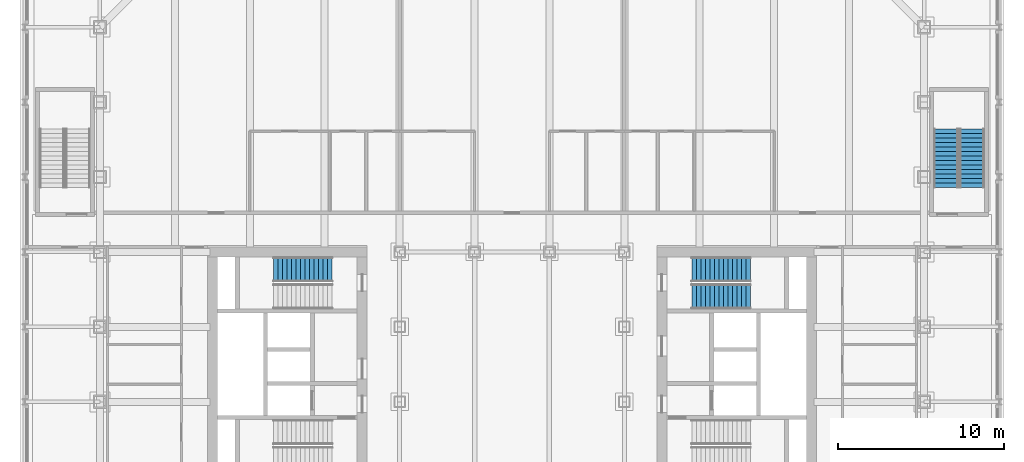
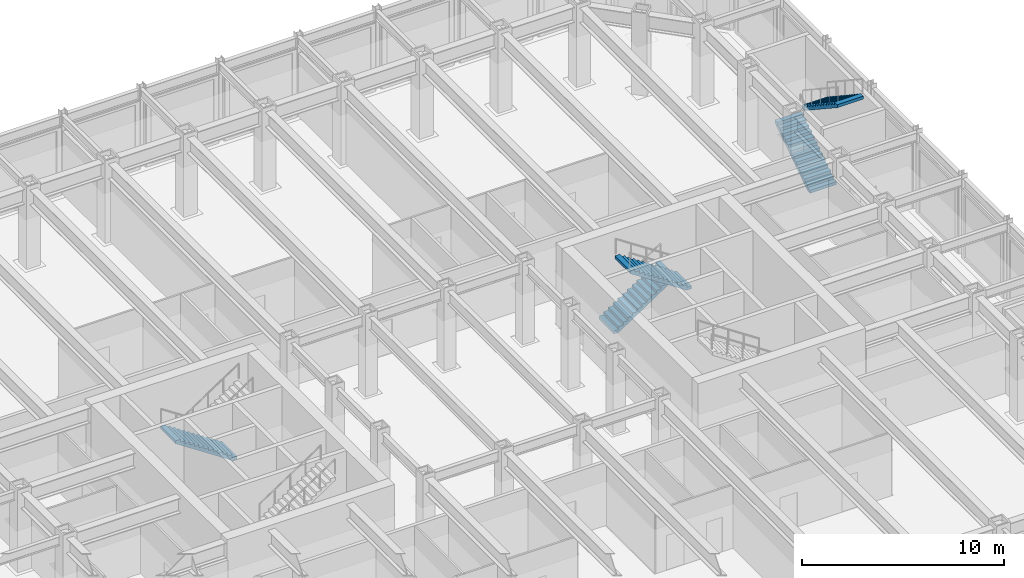
# One storey, part 16 of 19: 5 stair flights, 3 elements without a shape of their own.
"""IFC4 building model written with IfcOpenShell, lengths in metres."""

from ifc_helpers import new_model, si_unit, direction, frame, origin, place, context, subcontext, project, spatial, polyline, outline, extrude, material, type_object, element, aggregate, save


model = new_model("IFC4")

# Units and contexts
model_context = context("Model", 3, precision=1e-05, world=origin(), true_north=direction((0.0, 1.0)))
body_context = subcontext(model_context, "Body", "Model", "MODEL_VIEW")
ifc_project = project(units=[si_unit("LENGTHUNIT", "METRE"), si_unit("AREAUNIT", "SQUARE_METRE"), si_unit("VOLUMEUNIT", "CUBIC_METRE"), si_unit("PLANEANGLEUNIT", "RADIAN"), si_unit("MASSUNIT", "GRAM", prefix="KILO")], contexts=[model_context])

# Site, building, storey
site_placement = place(None, origin())
site = spatial("IfcSite", under=ifc_project, at=site_placement, CompositionType="ELEMENT")
building_placement = place(site_placement, origin())
building = spatial("IfcBuilding", under=site, at=building_placement, Name="Msasa Ring Tower", CompositionType="ELEMENT")
storey_placement = place(building_placement, frame((0.0, 0.0, 6.0)))
storey = spatial("IfcBuildingStorey", under=building, at=storey_placement, Name="L01", CompositionType="ELEMENT", Elevation=6.0)

# Stair, stair flights
ifc_material_1 = material(Name="Concrete C40/50", Category="concrete")
stair_type_1 = type_object("IfcStairType", Name="STC CORE STAIR 28 RISERS 178.6", PredefinedType="HALF_TURN_STAIR", material=ifc_material_1)
stair_1_placement = place(storey_placement, origin())
stair_1 = element("IfcStair", 1, at=stair_1_placement, inside=storey, type_object=stair_type_1, Name="Core stair SEB L01", PredefinedType="HALF_TURN_STAIR")
ifc_material_2 = material(Name="Concrete C40/50", Category="concrete")
stair_flight_type_1 = type_object("IfcStairFlightType", Name="ST13 CORE STAIR FLIGHT 1500 14 RISERS 178.6", PredefinedType="STRAIGHT", material=ifc_material_2)
stair_flight_1_placement = place(storey_placement, frame((10.800048828125, 5.699951171875, 0.0), z_axis=(0.0, 0.0, 1.0), x_axis=(1.0, 0.0, 0.0)))
stair_flight_1 = element("IfcStairFlight", 2, at=stair_flight_1_placement, type_object=stair_flight_type_1, Name="SEB flight 1", NumberOfRisers=14, NumberOfTreads=13, PredefinedType="STRAIGHT", RiserHeight=0.178571429, TreadLength=0.27, context=body_context, shape_type="SweptSolid", body=[
    extrude(outline(polyline([(0.0, 0.0), (0.0, 0.178466796875), (0.27001953125, 0.178466796875), (0.27001953125, 0.357177734375), (0.5400390625, 0.357177734375), (0.5400390625, 0.53564453125), (0.81005859375, 0.53564453125), (0.81005859375, 0.71435546875), (1.080078125, 0.71435546875), (1.080078125, 0.892822265625), (1.35009765625, 0.892822265625), (1.35009765625, 1.071533203125), (1.6201171875, 1.071533203125), (1.6201171875, 1.25), (1.889892578125, 1.25), (1.889892578125, 1.428466796875), (2.159912109375, 1.428466796875), (2.159912109375, 1.607177734375), (2.429931640625, 1.607177734375), (2.429931640625, 1.78564453125), (2.699951171875, 1.78564453125), (2.699951171875, 1.96435546875), (2.969970703125, 1.96435546875), (2.969970703125, 2.142822265625), (3.239990234375, 2.142822265625), (3.239990234375, 2.321533203125), (3.510009765625, 2.321533203125), (3.510009765625, 2.5), (3.510009765625, 2.1416015625), (0.271728515625, 0.0), (0.0, 0.0)])), frame((0.0, 0.75, 0.0), z_axis=(0.0, -1.0, 0.0), x_axis=(1.0, 0.0, 0.0)), (0.0, 0.0, 1.0), 1.5),
])
stair_flight_2_placement = place(storey_placement, frame((14.31005859375, 4.074951171875, 2.5), z_axis=(0.0, 0.0, 1.0), x_axis=(-1.0, 0.0, 0.0)))
stair_flight_2 = element("IfcStairFlight", 3, at=stair_flight_2_placement, type_object=stair_flight_type_1, Name="SEB flight 2", NumberOfRisers=14, NumberOfTreads=13, PredefinedType="STRAIGHT", RiserHeight=0.178571429, TreadLength=0.27, context=body_context, shape_type="SweptSolid", body=[
    extrude(outline(polyline([(0.0, 0.0), (0.0, 0.178466796875), (0.27001953125, 0.178466796875), (0.27001953125, 0.357177734375), (0.5400390625, 0.357177734375), (0.5400390625, 0.53564453125), (0.81005859375, 0.53564453125), (0.81005859375, 0.71435546875), (1.080078125, 0.71435546875), (1.080078125, 0.892822265625), (1.35009765625, 0.892822265625), (1.35009765625, 1.071533203125), (1.6201171875, 1.071533203125), (1.6201171875, 1.25), (1.889892578125, 1.25), (1.889892578125, 1.428466796875), (2.159912109375, 1.428466796875), (2.159912109375, 1.607177734375), (2.429931640625, 1.607177734375), (2.429931640625, 1.78564453125), (2.699951171875, 1.78564453125), (2.699951171875, 1.96435546875), (2.969970703125, 1.96435546875), (2.969970703125, 2.142822265625), (3.239990234375, 2.142822265625), (3.239990234375, 2.321533203125), (3.510009765625, 2.321533203125), (3.510009765625, 2.5), (3.510009765625, 2.1416015625), (0.271728515625, 0.0), (0.0, 0.0)])), frame((0.0, 0.75, 0.0), z_axis=(0.0, -1.0, 0.0), x_axis=(1.0, 0.0, 0.0)), (0.0, 0.0, 1.0), 1.5),
])
aggregate(stair_1, [stair_flight_1, stair_flight_2])

# Stair, stair flight
stair_2_placement = place(storey_placement, origin())
stair_2 = element("IfcStair", 4, at=stair_2_placement, inside=storey, type_object=stair_type_1, Name="Core stair SWB L01", PredefinedType="HALF_TURN_STAIR")
stair_flight_3_placement = place(storey_placement, frame((-10.800048828125, 5.699951171875, 0.0), z_axis=(0.0, 0.0, 1.0), x_axis=(-1.0, 0.0, 0.0)))
stair_flight_3 = element("IfcStairFlight", 5, at=stair_flight_3_placement, type_object=stair_flight_type_1, Name="SWB flight 1", NumberOfRisers=14, NumberOfTreads=13, PredefinedType="STRAIGHT", RiserHeight=0.178571429, TreadLength=0.27, context=body_context, shape_type="SweptSolid", body=[
    extrude(outline(polyline([(0.0, 0.0), (0.0, 0.178466796875), (0.27001953125, 0.178466796875), (0.27001953125, 0.357177734375), (0.5400390625, 0.357177734375), (0.5400390625, 0.53564453125), (0.81005859375, 0.53564453125), (0.81005859375, 0.71435546875), (1.080078125, 0.71435546875), (1.080078125, 0.892822265625), (1.35009765625, 0.892822265625), (1.35009765625, 1.071533203125), (1.6201171875, 1.071533203125), (1.6201171875, 1.25), (1.889892578125, 1.25), (1.889892578125, 1.428466796875), (2.159912109375, 1.428466796875), (2.159912109375, 1.607177734375), (2.429931640625, 1.607177734375), (2.429931640625, 1.78564453125), (2.699951171875, 1.78564453125), (2.699951171875, 1.96435546875), (2.969970703125, 1.96435546875), (2.969970703125, 2.142822265625), (3.239990234375, 2.142822265625), (3.239990234375, 2.321533203125), (3.510009765625, 2.321533203125), (3.510009765625, 2.5), (3.510009765625, 2.1416015625), (0.271728515625, 0.0), (0.0, 0.0)])), frame((0.0, 0.75, 0.0), z_axis=(0.0, -1.0, 0.0), x_axis=(1.0, 0.0, 0.0)), (0.0, 0.0, 1.0), 1.5),
])
aggregate(stair_2, [stair_flight_3])

# Stair, stair flights
ifc_material_3 = material(Name="Concrete C40/50", Category="concrete")
stair_type_2 = type_object("IfcStairType", Name="STP PODIUM STAIR 28 RISERS 178.6", PredefinedType="HALF_TURN_STAIR", material=ifc_material_3)
stair_3_placement = place(storey_placement, origin())
stair_3 = element("IfcStair", 6, at=stair_3_placement, inside=storey, type_object=stair_type_2, Name="Podium stair PEN L01", PredefinedType="HALF_TURN_STAIR")
ifc_material_4 = material(Name="Concrete C40/50", Category="concrete")
stair_flight_type_2 = type_object("IfcStairFlightType", Name="ST21 PODIUM STAIR FLIGHT 1500 14 RISERS 178.6", PredefinedType="STRAIGHT", material=ifc_material_4)
stair_flight_4_placement = place(storey_placement, frame((26.074951171875, 10.625, 0.0), z_axis=(0.0, 0.0, 1.0), x_axis=(0.0, 1.0, 0.0)))
stair_flight_4 = element("IfcStairFlight", 7, at=stair_flight_4_placement, type_object=stair_flight_type_2, Name="PEN flight 1", NumberOfRisers=14, NumberOfTreads=13, PredefinedType="STRAIGHT", RiserHeight=0.178571429, TreadLength=0.27, context=body_context, shape_type="SweptSolid", body=[
    extrude(outline(polyline([(0.0, 0.0), (0.0, 0.178466796875), (0.27001953125, 0.178466796875), (0.27001953125, 0.357177734375), (0.5400390625, 0.357177734375), (0.5400390625, 0.53564453125), (0.81005859375, 0.53564453125), (0.81005859375, 0.71435546875), (1.080078125, 0.71435546875), (1.080078125, 0.892822265625), (1.35009765625, 0.892822265625), (1.35009765625, 1.071533203125), (1.6201171875, 1.071533203125), (1.6201171875, 1.25), (1.889892578125, 1.25), (1.889892578125, 1.428466796875), (2.159912109375, 1.428466796875), (2.159912109375, 1.607177734375), (2.429931640625, 1.607177734375), (2.429931640625, 1.78564453125), (2.699951171875, 1.78564453125), (2.699951171875, 1.96435546875), (2.969970703125, 1.96435546875), (2.969970703125, 2.142822265625), (3.239990234375, 2.142822265625), (3.239990234375, 2.321533203125), (3.510009765625, 2.321533203125), (3.510009765625, 2.5), (3.510009765625, 2.1416015625), (0.271728515625, 0.0), (0.0, 0.0)])), frame((0.0, 0.75, 0.0), z_axis=(0.0, -1.0, 0.0), x_axis=(1.0, 0.0, 0.0)), (0.0, 0.0, 1.0), 1.5),
])
stair_flight_5_placement = place(storey_placement, frame((27.625, 14.135009765625, 2.5), z_axis=(0.0, 0.0, 1.0), x_axis=(0.0, -1.0, 0.0)))
stair_flight_5 = element("IfcStairFlight", 8, at=stair_flight_5_placement, type_object=stair_flight_type_2, Name="PEN flight 2", NumberOfRisers=14, NumberOfTreads=13, PredefinedType="STRAIGHT", RiserHeight=0.178571429, TreadLength=0.27, context=body_context, shape_type="SweptSolid", body=[
    extrude(outline(polyline([(0.0, 0.0), (0.0, 0.178466796875), (0.27001953125, 0.178466796875), (0.27001953125, 0.357177734375), (0.5400390625, 0.357177734375), (0.5400390625, 0.53564453125), (0.81005859375, 0.53564453125), (0.81005859375, 0.71435546875), (1.080078125, 0.71435546875), (1.080078125, 0.892822265625), (1.35009765625, 0.892822265625), (1.35009765625, 1.071533203125), (1.6201171875, 1.071533203125), (1.6201171875, 1.25), (1.889892578125, 1.25), (1.889892578125, 1.428466796875), (2.159912109375, 1.428466796875), (2.159912109375, 1.607177734375), (2.429931640625, 1.607177734375), (2.429931640625, 1.78564453125), (2.699951171875, 1.78564453125), (2.699951171875, 1.96435546875), (2.969970703125, 1.96435546875), (2.969970703125, 2.142822265625), (3.239990234375, 2.142822265625), (3.239990234375, 2.321533203125), (3.510009765625, 2.321533203125), (3.510009765625, 2.5), (3.510009765625, 2.1416015625), (0.271728515625, 0.0), (0.0, 0.0)])), frame((0.0, 0.75, 0.0), z_axis=(0.0, -1.0, 0.0), x_axis=(1.0, 0.0, 0.0)), (0.0, 0.0, 1.0), 1.5),
])
aggregate(stair_3, [stair_flight_4, stair_flight_5])

save(model, "model.ifc")
